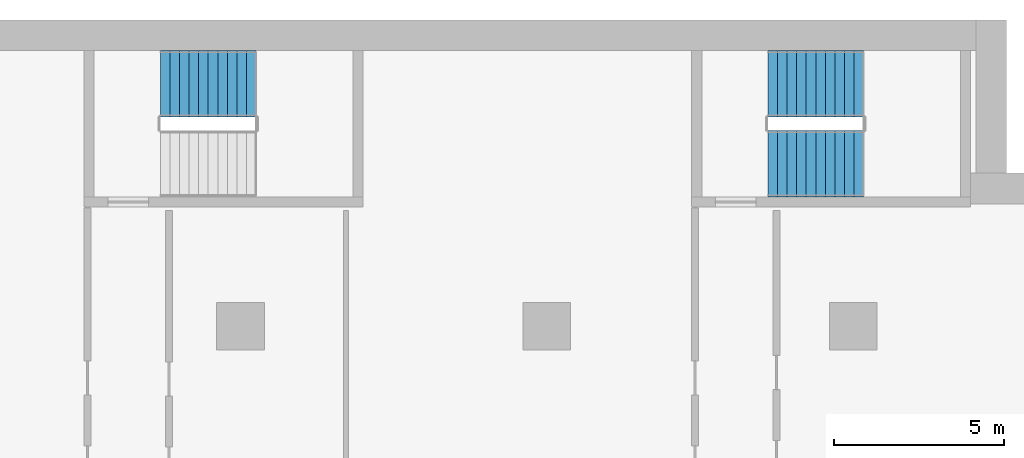
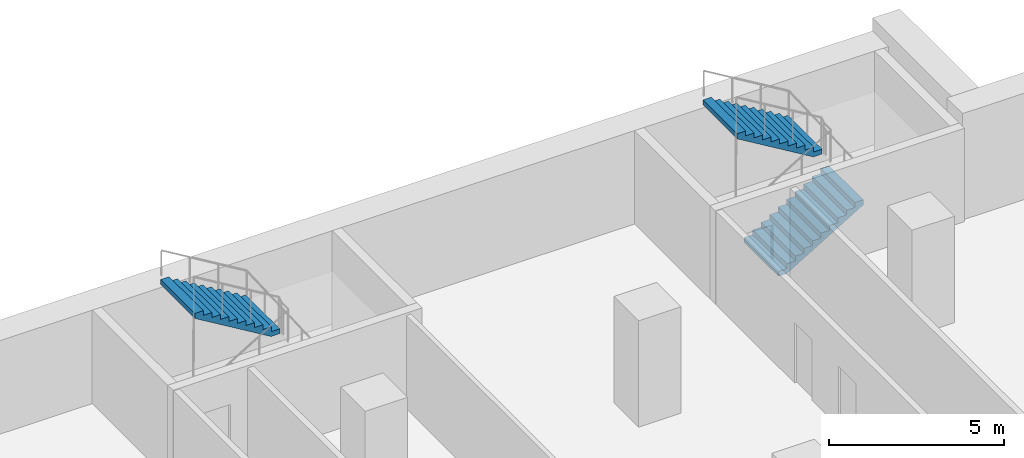
# One storey, part 22 of 28: 3 stair flights, 2 elements without a shape of their own.
"""IFC4 building model written with IfcOpenShell, lengths in metres."""

from ifc_helpers import new_model, si_unit, direction, frame, origin, place, context, subcontext, project, spatial, polyline, outline, extrude, material, type_object, element, aggregate, save


model = new_model("IFC4")

# Units and contexts
model_context = context("Model", 3, precision=1e-05, world=origin(), true_north=direction((0.0, 1.0)))
body_context = subcontext(model_context, "Body", "Model", "MODEL_VIEW")
ifc_project = project(units=[si_unit("LENGTHUNIT", "METRE"), si_unit("AREAUNIT", "SQUARE_METRE"), si_unit("VOLUMEUNIT", "CUBIC_METRE"), si_unit("PLANEANGLEUNIT", "RADIAN"), si_unit("MASSUNIT", "GRAM", prefix="KILO")], contexts=[model_context])

# Site, building, storey
site_placement = place(None, origin())
site = spatial("IfcSite", under=ifc_project, at=site_placement, CompositionType="ELEMENT")
building_placement = place(site_placement, origin())
building = spatial("IfcBuilding", under=site, at=building_placement, Name="Hunhe Ridgeline Campus", CompositionType="ELEMENT")
storey_placement = place(building_placement, frame((0.0, 0.0, 76.5)))
storey = spatial("IfcBuildingStorey", under=building, at=storey_placement, Name="L18", CompositionType="ELEMENT", Elevation=76.5)

# Stair, stair flight
ifc_material = material(Name="Concrete C40", Category="concrete")
stair_type = type_object("IfcStairType", Name="Reinforced concrete dog-leg stair 1950 Concrete C40", PredefinedType="HALF_TURN_STAIR", material=ifc_material)
stair_1_placement = place(storey_placement, origin())
stair_1 = element("IfcStair", 1, at=stair_1_placement, inside=storey, type_object=stair_type, Name="L18 E3", PredefinedType="HALF_TURN_STAIR")
stair_flight_type = type_object("IfcStairFlightType", Name="Reinforced concrete stair flight 1950 Concrete C40", PredefinedType="STRAIGHT", material=ifc_material)
stair_flight_1_placement = place(storey_placement, frame((72.449951171875, 97.125, 1.85009765625), z_axis=(0.0, 0.0, 1.0), x_axis=(-1.0, 0.0, 0.0)))
stair_flight_1 = element("IfcStairFlight", 2, at=stair_flight_1_placement, type_object=stair_flight_type, Name="ST7 flight 2", NumberOfRisers=11, NumberOfTreads=10, PredefinedType="STRAIGHT", RiserHeight=0.168181818, TreadLength=0.28, context=body_context, shape_type="SweptSolid", body=[
    extrude(outline(polyline([(0.0, 0.0), (0.0, 0.168212890625), (0.280029296875, 0.168212890625), (0.280029296875, 0.33642578125), (0.56005859375, 0.33642578125), (0.56005859375, 0.504638671875), (0.840087890625, 0.504638671875), (0.840087890625, 0.672607421875), (1.1201171875, 0.672607421875), (1.1201171875, 0.8408203125), (1.39990234375, 0.8408203125), (1.39990234375, 1.009033203125), (1.679931640625, 1.009033203125), (1.679931640625, 1.17724609375), (1.9599609375, 1.17724609375), (1.9599609375, 1.345458984375), (2.239990234375, 1.345458984375), (2.239990234375, 1.513671875), (2.52001953125, 1.513671875), (2.52001953125, 1.681884765625), (2.800048828125, 1.681884765625), (2.800048828125, 1.85009765625), (2.800048828125, 1.5068359375), (0.291015625, 0.0), (0.0, 0.0)])), frame((0.0, 0.97509765625, 0.0), z_axis=(0.0, -1.0, 0.0), x_axis=(1.0, 0.0, 0.0)), (0.0, 0.0, 1.0), 1.949951171875),
    extrude(outline(polyline([(0.030029296875, 0.030029296875), (0.030029296875, 0.13818359375), (0.31005859375, 0.13818359375), (0.31005859375, 0.306396484375), (0.590087890625, 0.306396484375), (0.590087890625, 0.474609375), (0.8701171875, 0.474609375), (0.8701171875, 0.642578125), (1.14990234375, 0.642578125), (1.14990234375, 0.810791015625), (1.429931640625, 0.810791015625), (1.429931640625, 0.97900390625), (1.7099609375, 0.97900390625), (1.7099609375, 1.147216796875), (1.989990234375, 1.147216796875), (1.989990234375, 1.3154296875), (2.27001953125, 1.3154296875), (2.27001953125, 1.483642578125), (2.550048828125, 1.483642578125), (2.550048828125, 1.65185546875), (2.77001953125, 1.65185546875), (2.77001953125, 1.52392578125), (0.28271484375, 0.030029296875), (0.030029296875, 0.030029296875)])), frame((0.0, -0.070068359375, 0.0), z_axis=(0.0, -1.0, 0.0), x_axis=(1.0, 0.0, 0.0)), (0.0, 0.0, 1.0), 0.019775390625),
    extrude(outline(polyline([(0.030029296875, 0.030029296875), (0.030029296875, 0.13818359375), (0.31005859375, 0.13818359375), (0.31005859375, 0.306396484375), (0.590087890625, 0.306396484375), (0.590087890625, 0.474609375), (0.8701171875, 0.474609375), (0.8701171875, 0.642578125), (1.14990234375, 0.642578125), (1.14990234375, 0.810791015625), (1.429931640625, 0.810791015625), (1.429931640625, 0.97900390625), (1.7099609375, 0.97900390625), (1.7099609375, 1.147216796875), (1.989990234375, 1.147216796875), (1.989990234375, 1.3154296875), (2.27001953125, 1.3154296875), (2.27001953125, 1.483642578125), (2.550048828125, 1.483642578125), (2.550048828125, 1.65185546875), (2.77001953125, 1.65185546875), (2.77001953125, 1.52392578125), (0.28271484375, 0.030029296875), (0.030029296875, 0.030029296875)])), frame((0.0, 0.010009765625, 0.0), z_axis=(0.0, -1.0, 0.0), x_axis=(1.0, 0.0, 0.0)), (0.0, 0.0, 1.0), 0.019775390625),
    extrude(outline(polyline([(0.030029296875, 0.030029296875), (0.030029296875, 0.13818359375), (0.31005859375, 0.13818359375), (0.31005859375, 0.306396484375), (0.590087890625, 0.306396484375), (0.590087890625, 0.474609375), (0.8701171875, 0.474609375), (0.8701171875, 0.642578125), (1.14990234375, 0.642578125), (1.14990234375, 0.810791015625), (1.429931640625, 0.810791015625), (1.429931640625, 0.97900390625), (1.7099609375, 0.97900390625), (1.7099609375, 1.147216796875), (1.989990234375, 1.147216796875), (1.989990234375, 1.3154296875), (2.27001953125, 1.3154296875), (2.27001953125, 1.483642578125), (2.550048828125, 1.483642578125), (2.550048828125, 1.65185546875), (2.77001953125, 1.65185546875), (2.77001953125, 1.52392578125), (0.28271484375, 0.030029296875), (0.030029296875, 0.030029296875)])), frame((0.0, 0.090087890625, 0.0), z_axis=(0.0, -1.0, 0.0), x_axis=(1.0, 0.0, 0.0)), (0.0, 0.0, 1.0), 0.019775390625),
])
aggregate(stair_1, [stair_flight_1])

# Stair, stair flights
stair_2_placement = place(storey_placement, origin())
stair_2 = element("IfcStair", 3, at=stair_2_placement, inside=storey, type_object=stair_type, Name="L18 E4", PredefinedType="HALF_TURN_STAIR")
stair_flight_2_placement = place(storey_placement, frame((87.5, 94.77490234375, 0.0), z_axis=(0.0, 0.0, 1.0), x_axis=(1.0, 0.0, 0.0)))
stair_flight_2 = element("IfcStairFlight", 4, at=stair_flight_2_placement, type_object=stair_flight_type, Name="ST8 flight 1", NumberOfRisers=11, NumberOfTreads=10, PredefinedType="STRAIGHT", RiserHeight=0.168181818, TreadLength=0.28, context=body_context, shape_type="SweptSolid", body=[
    extrude(outline(polyline([(0.0, 0.0), (0.0, 0.168212890625), (0.280029296875, 0.168212890625), (0.280029296875, 0.33642578125), (0.56005859375, 0.33642578125), (0.56005859375, 0.504638671875), (0.840087890625, 0.504638671875), (0.840087890625, 0.672607421875), (1.1201171875, 0.672607421875), (1.1201171875, 0.8408203125), (1.39990234375, 0.8408203125), (1.39990234375, 1.009033203125), (1.679931640625, 1.009033203125), (1.679931640625, 1.17724609375), (1.9599609375, 1.17724609375), (1.9599609375, 1.345458984375), (2.239990234375, 1.345458984375), (2.239990234375, 1.513671875), (2.52001953125, 1.513671875), (2.52001953125, 1.681884765625), (2.800048828125, 1.681884765625), (2.800048828125, 1.85009765625), (2.800048828125, 1.5068359375), (0.291015625, 0.0), (0.0, 0.0)])), frame((0.0, 0.97509765625, 0.0), z_axis=(0.0, -1.0, 0.0), x_axis=(1.0, 0.0, 0.0)), (0.0, 0.0, 1.0), 1.949951171875),
    extrude(outline(polyline([(0.030029296875, 0.030029296875), (0.030029296875, 0.13818359375), (0.31005859375, 0.13818359375), (0.31005859375, 0.306396484375), (0.590087890625, 0.306396484375), (0.590087890625, 0.474609375), (0.8701171875, 0.474609375), (0.8701171875, 0.642578125), (1.14990234375, 0.642578125), (1.14990234375, 0.810791015625), (1.429931640625, 0.810791015625), (1.429931640625, 0.97900390625), (1.7099609375, 0.97900390625), (1.7099609375, 1.147216796875), (1.989990234375, 1.147216796875), (1.989990234375, 1.3154296875), (2.27001953125, 1.3154296875), (2.27001953125, 1.483642578125), (2.550048828125, 1.483642578125), (2.550048828125, 1.65185546875), (2.77001953125, 1.65185546875), (2.77001953125, 1.52392578125), (0.28271484375, 0.030029296875), (0.030029296875, 0.030029296875)])), frame((0.0, -0.070068359375, 0.0), z_axis=(0.0, -1.0, 0.0), x_axis=(1.0, 0.0, 0.0)), (0.0, 0.0, 1.0), 0.019775390625),
    extrude(outline(polyline([(0.030029296875, 0.030029296875), (0.030029296875, 0.13818359375), (0.31005859375, 0.13818359375), (0.31005859375, 0.306396484375), (0.590087890625, 0.306396484375), (0.590087890625, 0.474609375), (0.8701171875, 0.474609375), (0.8701171875, 0.642578125), (1.14990234375, 0.642578125), (1.14990234375, 0.810791015625), (1.429931640625, 0.810791015625), (1.429931640625, 0.97900390625), (1.7099609375, 0.97900390625), (1.7099609375, 1.147216796875), (1.989990234375, 1.147216796875), (1.989990234375, 1.3154296875), (2.27001953125, 1.3154296875), (2.27001953125, 1.483642578125), (2.550048828125, 1.483642578125), (2.550048828125, 1.65185546875), (2.77001953125, 1.65185546875), (2.77001953125, 1.52392578125), (0.28271484375, 0.030029296875), (0.030029296875, 0.030029296875)])), frame((0.0, 0.010009765625, 0.0), z_axis=(0.0, -1.0, 0.0), x_axis=(1.0, 0.0, 0.0)), (0.0, 0.0, 1.0), 0.019775390625),
    extrude(outline(polyline([(0.030029296875, 0.030029296875), (0.030029296875, 0.13818359375), (0.31005859375, 0.13818359375), (0.31005859375, 0.306396484375), (0.590087890625, 0.306396484375), (0.590087890625, 0.474609375), (0.8701171875, 0.474609375), (0.8701171875, 0.642578125), (1.14990234375, 0.642578125), (1.14990234375, 0.810791015625), (1.429931640625, 0.810791015625), (1.429931640625, 0.97900390625), (1.7099609375, 0.97900390625), (1.7099609375, 1.147216796875), (1.989990234375, 1.147216796875), (1.989990234375, 1.3154296875), (2.27001953125, 1.3154296875), (2.27001953125, 1.483642578125), (2.550048828125, 1.483642578125), (2.550048828125, 1.65185546875), (2.77001953125, 1.65185546875), (2.77001953125, 1.52392578125), (0.28271484375, 0.030029296875), (0.030029296875, 0.030029296875)])), frame((0.0, 0.090087890625, 0.0), z_axis=(0.0, -1.0, 0.0), x_axis=(1.0, 0.0, 0.0)), (0.0, 0.0, 1.0), 0.019775390625),
])
stair_flight_3_placement = place(storey_placement, frame((90.300048828125, 97.125, 1.85009765625), z_axis=(0.0, 0.0, 1.0), x_axis=(-1.0, 0.0, 0.0)))
stair_flight_3 = element("IfcStairFlight", 5, at=stair_flight_3_placement, type_object=stair_flight_type, Name="ST8 flight 2", NumberOfRisers=11, NumberOfTreads=10, PredefinedType="STRAIGHT", RiserHeight=0.168181818, TreadLength=0.28, context=body_context, shape_type="SweptSolid", body=[
    extrude(outline(polyline([(0.0, 0.0), (0.0, 0.168212890625), (0.280029296875, 0.168212890625), (0.280029296875, 0.33642578125), (0.56005859375, 0.33642578125), (0.56005859375, 0.504638671875), (0.840087890625, 0.504638671875), (0.840087890625, 0.672607421875), (1.1201171875, 0.672607421875), (1.1201171875, 0.8408203125), (1.39990234375, 0.8408203125), (1.39990234375, 1.009033203125), (1.679931640625, 1.009033203125), (1.679931640625, 1.17724609375), (1.9599609375, 1.17724609375), (1.9599609375, 1.345458984375), (2.239990234375, 1.345458984375), (2.239990234375, 1.513671875), (2.52001953125, 1.513671875), (2.52001953125, 1.681884765625), (2.800048828125, 1.681884765625), (2.800048828125, 1.85009765625), (2.800048828125, 1.5068359375), (0.291015625, 0.0), (0.0, 0.0)])), frame((0.0, 0.97509765625, 0.0), z_axis=(0.0, -1.0, 0.0), x_axis=(1.0, 0.0, 0.0)), (0.0, 0.0, 1.0), 1.949951171875),
    extrude(outline(polyline([(0.030029296875, 0.030029296875), (0.030029296875, 0.13818359375), (0.31005859375, 0.13818359375), (0.31005859375, 0.306396484375), (0.590087890625, 0.306396484375), (0.590087890625, 0.474609375), (0.8701171875, 0.474609375), (0.8701171875, 0.642578125), (1.14990234375, 0.642578125), (1.14990234375, 0.810791015625), (1.429931640625, 0.810791015625), (1.429931640625, 0.97900390625), (1.7099609375, 0.97900390625), (1.7099609375, 1.147216796875), (1.989990234375, 1.147216796875), (1.989990234375, 1.3154296875), (2.27001953125, 1.3154296875), (2.27001953125, 1.483642578125), (2.550048828125, 1.483642578125), (2.550048828125, 1.65185546875), (2.77001953125, 1.65185546875), (2.77001953125, 1.52392578125), (0.28271484375, 0.030029296875), (0.030029296875, 0.030029296875)])), frame((0.0, -0.070068359375, 0.0), z_axis=(0.0, -1.0, 0.0), x_axis=(1.0, 0.0, 0.0)), (0.0, 0.0, 1.0), 0.019775390625),
    extrude(outline(polyline([(0.030029296875, 0.030029296875), (0.030029296875, 0.13818359375), (0.31005859375, 0.13818359375), (0.31005859375, 0.306396484375), (0.590087890625, 0.306396484375), (0.590087890625, 0.474609375), (0.8701171875, 0.474609375), (0.8701171875, 0.642578125), (1.14990234375, 0.642578125), (1.14990234375, 0.810791015625), (1.429931640625, 0.810791015625), (1.429931640625, 0.97900390625), (1.7099609375, 0.97900390625), (1.7099609375, 1.147216796875), (1.989990234375, 1.147216796875), (1.989990234375, 1.3154296875), (2.27001953125, 1.3154296875), (2.27001953125, 1.483642578125), (2.550048828125, 1.483642578125), (2.550048828125, 1.65185546875), (2.77001953125, 1.65185546875), (2.77001953125, 1.52392578125), (0.28271484375, 0.030029296875), (0.030029296875, 0.030029296875)])), frame((0.0, 0.010009765625, 0.0), z_axis=(0.0, -1.0, 0.0), x_axis=(1.0, 0.0, 0.0)), (0.0, 0.0, 1.0), 0.019775390625),
    extrude(outline(polyline([(0.030029296875, 0.030029296875), (0.030029296875, 0.13818359375), (0.31005859375, 0.13818359375), (0.31005859375, 0.306396484375), (0.590087890625, 0.306396484375), (0.590087890625, 0.474609375), (0.8701171875, 0.474609375), (0.8701171875, 0.642578125), (1.14990234375, 0.642578125), (1.14990234375, 0.810791015625), (1.429931640625, 0.810791015625), (1.429931640625, 0.97900390625), (1.7099609375, 0.97900390625), (1.7099609375, 1.147216796875), (1.989990234375, 1.147216796875), (1.989990234375, 1.3154296875), (2.27001953125, 1.3154296875), (2.27001953125, 1.483642578125), (2.550048828125, 1.483642578125), (2.550048828125, 1.65185546875), (2.77001953125, 1.65185546875), (2.77001953125, 1.52392578125), (0.28271484375, 0.030029296875), (0.030029296875, 0.030029296875)])), frame((0.0, 0.090087890625, 0.0), z_axis=(0.0, -1.0, 0.0), x_axis=(1.0, 0.0, 0.0)), (0.0, 0.0, 1.0), 0.019775390625),
])
aggregate(stair_2, [stair_flight_2, stair_flight_3])

save(model, "model.ifc")
